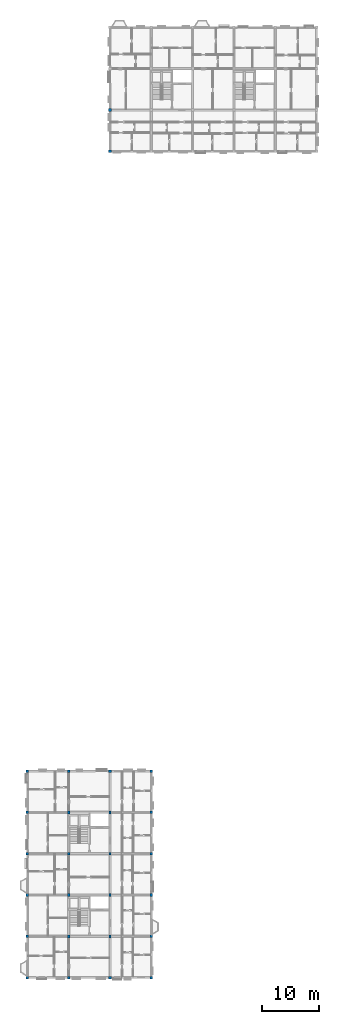
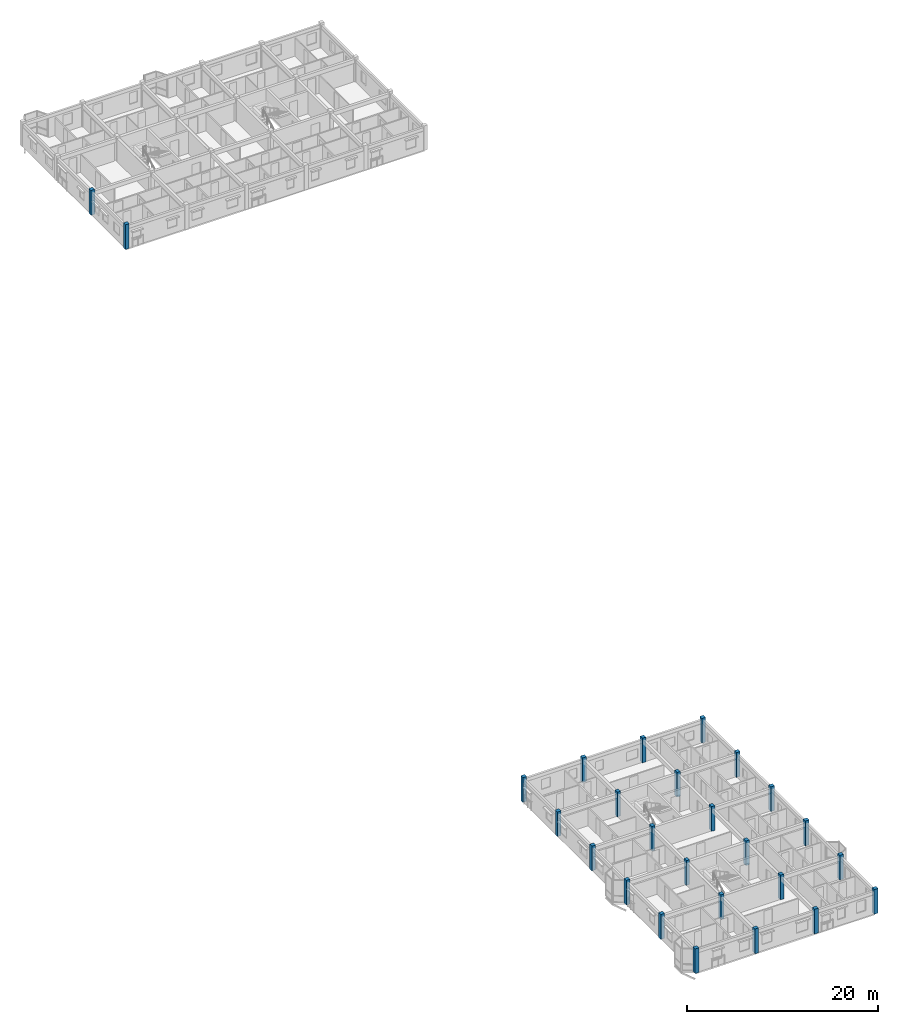
# One storey, part 1 of 28: 26 columns.
"""IFC4 building model written with IfcOpenShell, lengths in metres."""

from ifc_helpers import new_model, si_unit, direction, frame, origin, origin_2d, place, context, subcontext, project, spatial, rectangle, extrude, material, material_profile, profile_set, type_object, element, save


model = new_model("IFC4")

# Units and contexts
model_context = context("Model", 3, precision=1e-05, world=origin(), true_north=direction((0.0, 1.0)))
body_context = subcontext(model_context, "Body", "Model", "MODEL_VIEW")
ifc_project = project(units=[si_unit("LENGTHUNIT", "METRE"), si_unit("AREAUNIT", "SQUARE_METRE"), si_unit("VOLUMEUNIT", "CUBIC_METRE"), si_unit("PLANEANGLEUNIT", "RADIAN"), si_unit("MASSUNIT", "GRAM", prefix="KILO"), si_unit("THERMODYNAMICTEMPERATUREUNIT", "KELVIN"), si_unit("POWERUNIT", "WATT")], contexts=[model_context])

# Site, building, storey
site_placement = place(None, origin())
site = spatial("IfcSite", under=ifc_project, at=site_placement, CompositionType="ELEMENT")
building_placement = place(site_placement, origin())
building = spatial("IfcBuilding", under=site, at=building_placement, Name="Tavuni Mirador Residences", CompositionType="ELEMENT")
storey_placement = place(building_placement, frame((0.0, 0.0, 39.14990234375)))
storey = spatial("IfcBuildingStorey", under=building, at=storey_placement, Name="L12", CompositionType="ELEMENT", Elevation=39.14990234375)

# Columns
ifc_material = material(Name="Precast concrete C40/50", Category="concrete")
ifc_material_profile_1 = material_profile(ifc_material, rectangle(XDim=0.39990234375, YDim=0.5, at=origin_2d()), Name="PC 400x500", Category="concrete")
ifc_profile_set_1 = profile_set([ifc_material_profile_1], Name="Precast concrete C40/50")
column_type_1 = type_object("IfcColumnType", Name="CT-PC400X500", PredefinedType="COLUMN", material=ifc_profile_set_1)
for number, where, z_axis, x_axis, name in (
    (1, (10.800048828125, 14.39990234375, 0.0), (0.0, 0.0, 1.0), (1.0, 0.0, 0.0), "COL-BLK-A-L12-01-01"),
    (2, (10.800048828125, 21.60009765625, 0.0), (0.0, 0.0, 1.0), (1.0, 0.0, 0.0), "COL-BLK-A-L12-01-02"),
    (3, (10.800048828125, 28.800048828125, 0.0), (0.0, 0.0, 1.0), (1.0, 0.0, 0.0), "COL-BLK-A-L12-01-03"),
    (4, (10.800048828125, 36.0, 0.0), (0.0, 0.0, 1.0), (1.0, 0.0, 0.0), "COL-BLK-A-L12-01-04"),
    (5, (18.0, 14.39990234375, 0.0), (0.0, 0.0, 1.0), (1.0, 0.0, 0.0), "COL-BLK-A-L12-02-01"),
    (6, (18.0, 21.60009765625, 0.0), (0.0, 0.0, 1.0), (1.0, 0.0, 0.0), "COL-BLK-A-L12-02-02"),
    (7, (18.0, 28.800048828125, 0.0), (0.0, 0.0, 1.0), (1.0, 0.0, 0.0), "COL-BLK-A-L12-02-03"),
    (8, (18.0, 36.0, 0.0), (0.0, 0.0, 1.0), (1.0, 0.0, 0.0), "COL-BLK-A-L12-02-04"),
):
    element("IfcColumn", number, at=place(storey_placement, frame(where, z_axis=z_axis, x_axis=x_axis)), inside=storey, type_object=column_type_1, Name=name, PredefinedType="COLUMN", context=body_context, shape_type="SweptSolid", body=[
        extrude(rectangle(XDim=0.39990234375, YDim=0.5, at=origin_2d()), origin(), (0.0, 0.0, 1.0), 3.150146484375),
    ])
ifc_material_profile_2 = material_profile(ifc_material, rectangle(XDim=0.449951171875, YDim=0.449951171875, at=origin_2d()), Name="RC 450x450", Category="concrete")
ifc_profile_set_2 = profile_set([ifc_material_profile_2], Name="Precast concrete C40/50")
column_type_2 = type_object("IfcColumnType", Name="CT-RC450", PredefinedType="COLUMN", material=ifc_profile_set_2)
for number, where, z_axis, x_axis, name in (
    (9, (3.60009765625, 7.199951171875, 0.0), (0.0, 0.0, 1.0), (1.0, 0.0, 0.0), "COL-BLK-A-L12-00-00"),
    (10, (3.60009765625, 14.39990234375, 0.0), (0.0, 0.0, 1.0), (1.0, 0.0, 0.0), "COL-BLK-A-L12-00-01"),
    (11, (3.60009765625, 21.60009765625, 0.0), (0.0, 0.0, 1.0), (1.0, 0.0, 0.0), "COL-BLK-A-L12-00-02"),
    (12, (3.60009765625, 28.800048828125, 0.0), (0.0, 0.0, 1.0), (1.0, 0.0, 0.0), "COL-BLK-A-L12-00-03"),
    (13, (3.60009765625, 36.0, 0.0), (0.0, 0.0, 1.0), (1.0, 0.0, 0.0), "COL-BLK-A-L12-00-04"),
    (14, (3.60009765625, 43.199951171875, 0.0), (0.0, 0.0, 1.0), (1.0, 0.0, 0.0), "COL-BLK-A-L12-00-05"),
    (15, (10.800048828125, 7.199951171875, 0.0), (0.0, 0.0, 1.0), (1.0, 0.0, 0.0), "COL-BLK-A-L12-01-00"),
    (16, (10.800048828125, 43.199951171875, 0.0), (0.0, 0.0, 1.0), (1.0, 0.0, 0.0), "COL-BLK-A-L12-01-05"),
    (17, (18.0, 7.199951171875, 0.0), (0.0, 0.0, 1.0), (1.0, 0.0, 0.0), "COL-BLK-A-L12-02-00"),
    (18, (18.0, 43.199951171875, 0.0), (0.0, 0.0, 1.0), (1.0, 0.0, 0.0), "COL-BLK-A-L12-02-05"),
    (19, (25.199951171875, 7.199951171875, 0.0), (0.0, 0.0, 1.0), (1.0, 0.0, 0.0), "COL-BLK-A-L12-03-00"),
    (20, (25.199951171875, 14.39990234375, 0.0), (0.0, 0.0, 1.0), (1.0, 0.0, 0.0), "COL-BLK-A-L12-03-01"),
    (21, (25.199951171875, 21.60009765625, 0.0), (0.0, 0.0, 1.0), (1.0, 0.0, 0.0), "COL-BLK-A-L12-03-02"),
    (22, (25.199951171875, 28.800048828125, 0.0), (0.0, 0.0, 1.0), (1.0, 0.0, 0.0), "COL-BLK-A-L12-03-03"),
    (23, (25.199951171875, 36.0, 0.0), (0.0, 0.0, 1.0), (1.0, 0.0, 0.0), "COL-BLK-A-L12-03-04"),
    (24, (25.199951171875, 43.199951171875, 0.0), (0.0, 0.0, 1.0), (1.0, 0.0, 0.0), "COL-BLK-A-L12-03-05"),
    (25, (18.0, 151.199951171875, 0.0), (0.0, 0.0, 1.0), (1.0, 0.0, 0.0), "COL-BLK-C-L12-00-00"),
    (26, (18.0, 158.39990234375, 0.0), (0.0, 0.0, 1.0), (1.0, 0.0, 0.0), "COL-BLK-C-L12-00-01"),
):
    element("IfcColumn", number, at=place(storey_placement, frame(where, z_axis=z_axis, x_axis=x_axis)), inside=storey, type_object=column_type_2, Name=name, PredefinedType="COLUMN", context=body_context, shape_type="SweptSolid", body=[
        extrude(rectangle(XDim=0.449951171875, YDim=0.449951171875, at=origin_2d()), origin(), (0.0, 0.0, 1.0), 3.150146484375),
    ])

save(model, "model.ifc")
